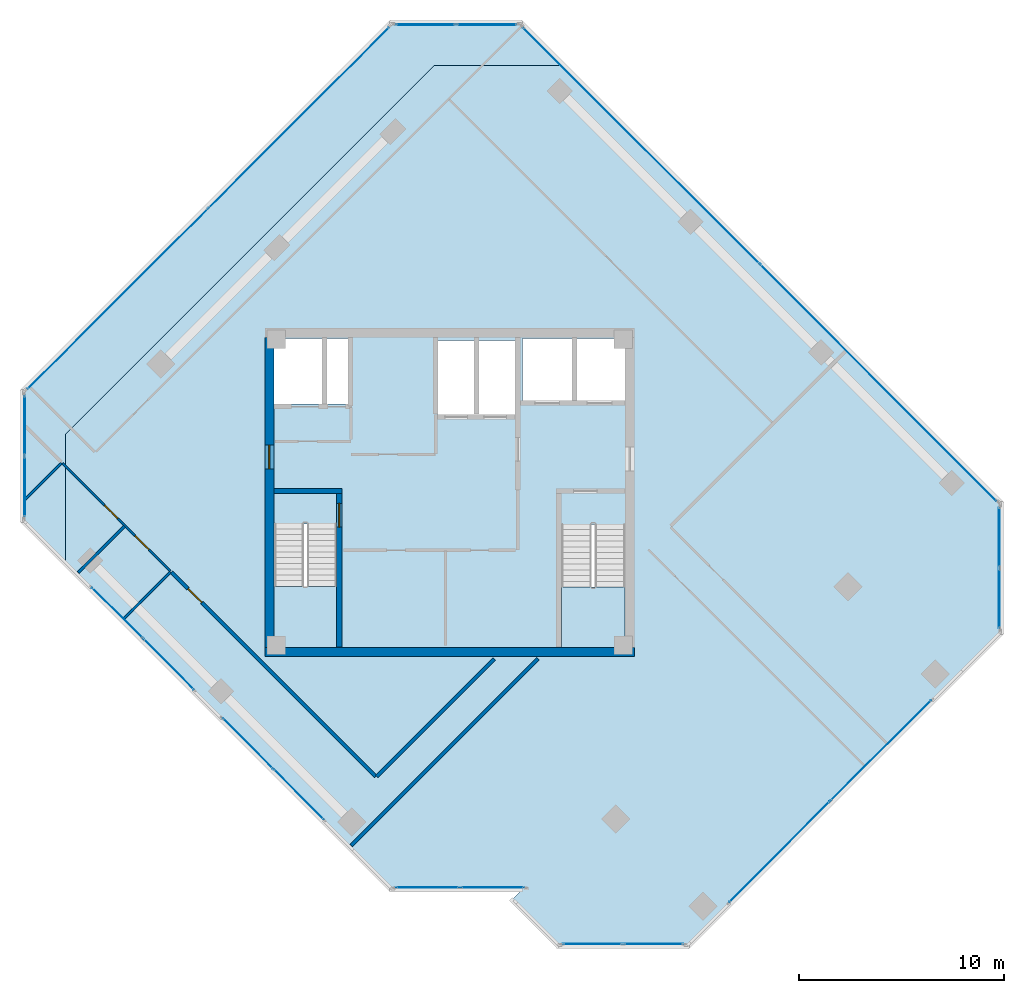
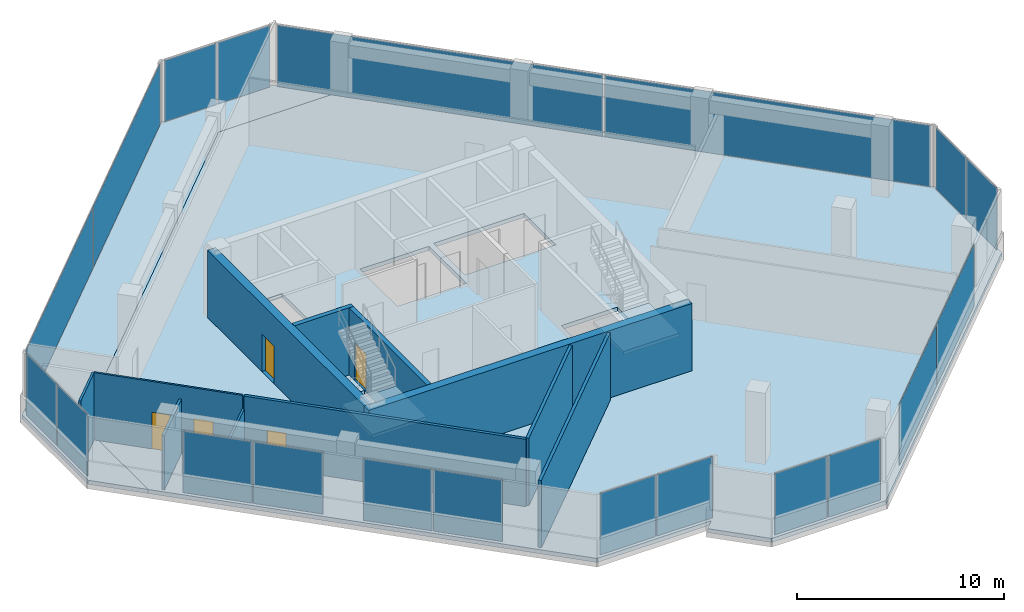
# One storey, part 13 of 18: 20 plates, 11 walls, 5 doors, 4 slabs, 5 openings, 12 elements without a shape of their own.
"""IFC4 building model written with IfcOpenShell, lengths in metres."""

from ifc_helpers import new_model, si_unit, direction, frame, frame_2d, origin, origin_2d, place, context, subcontext, project, spatial, polyline, rectangle, outline, extrude, source, transform, mapped, material, layer, layer_set, type_object, element, fill, aggregate, save


model = new_model("IFC4")

# Units and contexts
model_context = context("Model", 3, precision=1e-05, world=origin(), true_north=direction((0.0, 1.0)))
body_context = subcontext(model_context, "Body", "Model", "MODEL_VIEW")
ifc_project = project(units=[si_unit("LENGTHUNIT", "METRE"), si_unit("AREAUNIT", "SQUARE_METRE"), si_unit("VOLUMEUNIT", "CUBIC_METRE"), si_unit("PLANEANGLEUNIT", "RADIAN"), si_unit("MASSUNIT", "GRAM", prefix="KILO")], contexts=[model_context])

# Site, building, storey
site_placement = place(None, origin())
site = spatial("IfcSite", under=ifc_project, at=site_placement, CompositionType="ELEMENT")
building_placement = place(site_placement, origin())
building = spatial("IfcBuilding", under=site, at=building_placement, Name="Torre Montelarca", CompositionType="ELEMENT")
storey_placement = place(building_placement, frame((0.0, 0.0, 245.800048828125)))
storey = spatial("IfcBuildingStorey", under=building, at=storey_placement, Name="L55", CompositionType="ELEMENT", Elevation=245.800048828125)

# Slabs
ifc_material_1 = material(Name="Concrete C40/50", Category="concrete")
ifc_layer_1 = layer(ifc_material_1, 0.239990234375, Name="Concrete C40/50", Category="concrete")
ifc_layer_set_1 = layer_set([ifc_layer_1], Name="Concrete C40/50")
slab_type_1 = type_object("IfcSlabType", Name="SL-FLR-240", PredefinedType="FLOOR", material=ifc_layer_set_1)
slab_1_placement = place(storey_placement, frame((0.0, 0.0, -0.239990234375)))
element("IfcSlab", 1, at=slab_1_placement, inside=storey, type_object=slab_type_1, Name="L55 Structural Floor Slab", PredefinedType="FLOOR", context=body_context, shape_type="SweptSolid", body=[
    extrude(outline(polyline([(15.135986328125, 12.625244140625), (21.5, 12.625244140625), (21.0048828125, 12.13037109375), (23.267822265625, 9.86767578125), (29.631591796875, 9.86767578125), (44.9052734375, 25.14111328125), (44.9052734375, 31.5048828125), (23.621337890625, 52.788818359375), (17.25732421875, 52.788818359375), (-0.703125, 34.828369140625), (-0.703125, 28.464599609375), (15.135986328125, 12.625244140625)]), holes=[polyline([(26.550048828125, 24.449951171875), (23.43994140625, 24.449951171875), (23.43994140625, 30.429931640625), (26.550048828125, 30.429931640625), (26.550048828125, 24.449951171875)]), polyline([(12.5, 24.449951171875), (9.449951171875, 24.449951171875), (9.449951171875, 30.4599609375), (12.5, 30.4599609375), (12.5, 24.449951171875)]), polyline([(21.25, 39.39990234375), (21.25, 35.800048828125), (17.39990234375, 35.800048828125), (17.39990234375, 39.39990234375), (21.25, 39.39990234375)]), polyline([(13.1201171875, 36.300048828125), (9.449951171875, 36.300048828125), (9.449951171875, 39.5), (13.1201171875, 39.5), (13.1201171875, 36.300048828125)]), polyline([(26.60009765625, 36.449951171875), (21.550048828125, 36.449951171875), (21.550048828125, 39.5), (26.60009765625, 39.5), (26.60009765625, 36.449951171875)])]), origin(), (0.0, 0.0, 1.0), 0.239990234375),
])
slab_2_placement = place(storey_placement, frame((0.0, 0.0, -0.239990234375)))
element("IfcSlab", 2, at=slab_2_placement, inside=storey, type_object=slab_type_1, Name="L55 Sliding Tray Winter Garden Floor Slab W1", PredefinedType="FLOOR", context=body_context, shape_type="SweptSolid", body=[
    extrude(outline(polyline([(-0.703125, 28.464599609375), (-0.703125, 34.828369140625), (17.25732421875, 52.788818359375), (23.621337890625, 52.788818359375), (21.5, 54.910400390625), (15.135986328125, 54.910400390625), (-2.824462890625, 36.94970703125), (-2.824462890625, 30.585693359375), (-0.703125, 28.464599609375)])), origin(), (0.0, 0.0, 1.0), 0.239990234375),
])

# Stair, slab
stair_type_1 = type_object("IfcStairType", Name="ST-CORE-ST1", PredefinedType="HALF_TURN_STAIR", material=ifc_material_1)
stair_1_placement = place(storey_placement, origin())
stair_1 = element("IfcStair", 3, at=stair_1_placement, inside=storey, type_object=stair_type_1, Name="L55 Protected Exit Stair ST1", PredefinedType="HALF_TURN_STAIR")
ifc_layer_2 = layer(ifc_material_1, 0.199951171875, Name="Concrete C40/50", Category="concrete")
ifc_layer_set_2 = layer_set([ifc_layer_2], Name="Concrete C40/50")
slab_type_2 = type_object("IfcSlabType", Name="SL-ST-LAND-ST1", PredefinedType="LANDING", material=ifc_layer_set_2)
slab_3_placement = place(storey_placement, frame((0.0, 0.0, 1.89990234375)))
slab_3 = element("IfcSlab", 4, at=slab_3_placement, type_object=slab_type_2, Name="ST1 landing 1", PredefinedType="LANDING", context=body_context, shape_type="SweptSolid", body=[
    extrude(outline(polyline([(9.449951171875, 27.419921875), (9.449951171875, 24.449951171875), (12.5, 24.449951171875), (12.5, 27.419921875), (9.449951171875, 27.419921875)])), origin(), (0.0, 0.0, 1.0), 0.199951171875),
])
aggregate(stair_1, [slab_3])

stair_type_2 = type_object("IfcStairType", Name="ST-CORE-ST2", PredefinedType="HALF_TURN_STAIR", material=ifc_material_1)
stair_2_placement = place(storey_placement, origin())
stair_2 = element("IfcStair", 5, at=stair_2_placement, inside=storey, type_object=stair_type_2, Name="L55 Protected Exit Stair ST2", PredefinedType="HALF_TURN_STAIR")
ifc_layer_3 = layer(ifc_material_1, 0.199951171875, Name="Concrete C40/50", Category="concrete")
ifc_layer_set_3 = layer_set([ifc_layer_3], Name="Concrete C40/50")
slab_type_3 = type_object("IfcSlabType", Name="SL-ST-LAND-ST2", PredefinedType="LANDING", material=ifc_layer_set_3)
slab_4_placement = place(storey_placement, frame((0.0, 0.0, 1.89990234375)))
slab_4 = element("IfcSlab", 6, at=slab_4_placement, type_object=slab_type_3, Name="ST2 landing 1", PredefinedType="LANDING", context=body_context, shape_type="SweptSolid", body=[
    extrude(outline(polyline([(23.43994140625, 27.389892578125), (23.43994140625, 24.449951171875), (26.550048828125, 24.449951171875), (26.550048828125, 27.389892578125), (23.43994140625, 27.389892578125)])), origin(), (0.0, 0.0, 1.0), 0.199951171875),
])
aggregate(stair_2, [slab_4])

# Curtain wall, plates
ifc_material_2 = material(Name="Insulated low-E laminated glass", Category="glass")
curtain_wall_type = type_object("IfcCurtainWallType", Name="CW-SYS-Z3", PredefinedType="USERDEFINED", material=ifc_material_2)
curtain_wall_1_placement = place(storey_placement, origin())
curtain_wall_1 = element("IfcCurtainWall", 7, at=curtain_wall_1_placement, inside=storey, type_object=curtain_wall_type, Name="L55 Curtain Wall Run CW-T3-L55-E02-B1", ObjectType="UNITISED GLAZING", PredefinedType="USERDEFINED")
ifc_layer_4 = layer(ifc_material_2, 0.031982421875, Name="Insulated low-E laminated glass", Category="glass")
ifc_layer_set_4 = layer_set([ifc_layer_4], Name="Insulated low-E laminated glass")
plate_type = type_object("IfcPlateType", Name="CWP-GLZ-32", PredefinedType="CURTAIN_PANEL", material=ifc_layer_set_4)
shared_shape_1 = source(origin(), body_context, "Body", "SweptSolid", [
    extrude(rectangle(XDim=3.08740234375, YDim=0.031982421875, at=origin_2d()), origin(), (0.0, 0.0, 1.0), 3.610107421875),
])
plate_1_placement = place(storey_placement, frame((16.920654296875, 12.75537109375, 0.0546875), z_axis=(0.0, 0.0, 1.0), x_axis=(1.0, 0.0, 0.0)))
plate_1 = element("IfcPlate", 8, at=plate_1_placement, type_object=plate_type, Name="CW panel 1.1", PredefinedType="CURTAIN_PANEL", context=body_context, shape_type="MappedRepresentation", body=[
    mapped(shared_shape_1, transform((0.0, 0.0, 0.0), scale=1.0)),
])
plate_2_placement = place(storey_placement, frame((20.0830078125, 12.75537109375, 0.0546875), z_axis=(0.0, 0.0, 1.0), x_axis=(1.0, 0.0, 0.0)))
plate_2 = element("IfcPlate", 9, at=plate_2_placement, type_object=plate_type, Name="CW panel 2.1", PredefinedType="CURTAIN_PANEL", context=body_context, shape_type="MappedRepresentation", body=[
    mapped(shared_shape_1, transform((0.0, 0.0, 0.0), scale=1.0)),
])
aggregate(curtain_wall_1, [plate_1, plate_2])

curtain_wall_2_placement = place(storey_placement, origin())
curtain_wall_2 = element("IfcCurtainWall", 10, at=curtain_wall_2_placement, inside=storey, type_object=curtain_wall_type, Name="L55 Curtain Wall Run CW-T3-L55-E05-B1", ObjectType="UNITISED GLAZING", PredefinedType="USERDEFINED")
shared_shape_2 = source(origin(), body_context, "Body", "SweptSolid", [
    extrude(rectangle(XDim=2.903564453125, YDim=0.031982421875, at=origin_2d()), origin(), (0.0, 0.0, 1.0), 3.610107421875),
])
plate_3_placement = place(storey_placement, frame((24.96044921875, 9.99755859375, 0.0546875), z_axis=(0.0, 0.0, 1.0), x_axis=(1.0, 0.0, 0.0)))
plate_3 = element("IfcPlate", 11, at=plate_3_placement, type_object=plate_type, Name="CW panel 1.1", PredefinedType="CURTAIN_PANEL", context=body_context, shape_type="MappedRepresentation", body=[
    mapped(shared_shape_2, transform((0.0, 0.0, 0.0), scale=1.0)),
])
plate_4_placement = place(storey_placement, frame((27.93896484375, 9.99755859375, 0.0546875), z_axis=(0.0, 0.0, 1.0), x_axis=(1.0, 0.0, 0.0)))
plate_4 = element("IfcPlate", 12, at=plate_4_placement, type_object=plate_type, Name="CW panel 2.1", PredefinedType="CURTAIN_PANEL", context=body_context, shape_type="MappedRepresentation", body=[
    mapped(shared_shape_2, transform((0.0, 0.0, 0.0), scale=1.0)),
])
aggregate(curtain_wall_2, [plate_3, plate_4])

curtain_wall_3_placement = place(storey_placement, origin())
curtain_wall_3 = element("IfcCurtainWall", 13, at=curtain_wall_3_placement, inside=storey, type_object=curtain_wall_type, Name="L55 Curtain Wall Run CW-T3-L55-E07-B1", ObjectType="UNITISED GLAZING", PredefinedType="USERDEFINED")
plate_5_placement = place(storey_placement, frame((44.775146484375, 26.833740234375, 0.0546875), z_axis=(0.0, 0.0, 1.0), x_axis=(0.0, 1.0, 0.0)))
plate_5 = element("IfcPlate", 14, at=plate_5_placement, type_object=plate_type, Name="CW panel 1.1", PredefinedType="CURTAIN_PANEL", context=body_context, shape_type="MappedRepresentation", body=[
    mapped(shared_shape_2, transform((0.0, 0.0, 0.0), scale=1.0)),
])
plate_6_placement = place(storey_placement, frame((44.775146484375, 29.812255859375, 0.0546875), z_axis=(0.0, 0.0, 1.0), x_axis=(0.0, 1.0, 0.0)))
plate_6 = element("IfcPlate", 15, at=plate_6_placement, type_object=plate_type, Name="CW panel 2.1", PredefinedType="CURTAIN_PANEL", context=body_context, shape_type="MappedRepresentation", body=[
    mapped(shared_shape_2, transform((0.0, 0.0, 0.0), scale=1.0)),
])
aggregate(curtain_wall_3, [plate_5, plate_6])

curtain_wall_4_placement = place(storey_placement, origin())
curtain_wall_4 = element("IfcCurtainWall", 16, at=curtain_wall_4_placement, inside=storey, type_object=curtain_wall_type, Name="L55 Curtain Wall Run CW-T3-L55-E11-B1", ObjectType="UNITISED GLAZING", PredefinedType="USERDEFINED")
plate_7_placement = place(storey_placement, frame((-2.694580078125, 35.257080078125, 0.0546875), z_axis=(0.0, 0.0, 1.0), x_axis=(0.0, -1.0, 0.0)))
plate_7 = element("IfcPlate", 17, at=plate_7_placement, type_object=plate_type, Name="CW panel 1.1", PredefinedType="CURTAIN_PANEL", context=body_context, shape_type="MappedRepresentation", body=[
    mapped(shared_shape_2, transform((0.0, 0.0, 0.0), scale=1.0)),
])
plate_8_placement = place(storey_placement, frame((-2.694580078125, 32.2783203125, 0.0546875), z_axis=(0.0, 0.0, 1.0), x_axis=(0.0, -1.0, 0.0)))
plate_8 = element("IfcPlate", 18, at=plate_8_placement, type_object=plate_type, Name="CW panel 2.1", PredefinedType="CURTAIN_PANEL", context=body_context, shape_type="MappedRepresentation", body=[
    mapped(shared_shape_2, transform((0.0, 0.0, 0.0), scale=1.0)),
])
aggregate(curtain_wall_4, [plate_7, plate_8])

curtain_wall_5_placement = place(storey_placement, origin())
curtain_wall_5 = element("IfcCurtainWall", 19, at=curtain_wall_5_placement, inside=storey, type_object=curtain_wall_type, Name="L55 Curtain Wall Run CW-T3-L55-E10-B1", ObjectType="UNITISED GLAZING", PredefinedType="USERDEFINED")
shared_shape_3 = source(origin(), body_context, "Body", "SweptSolid", [
    extrude(rectangle(XDim=12.421630859375, YDim=0.031982421875, at=origin_2d()), origin(), (0.0, 0.0, 1.0), 3.610107421875),
])
plate_9_placement = place(storey_placement, frame((10.665771484375, 50.25634765625, 0.0546875), z_axis=(0.0, 0.0, 1.0), x_axis=(-0.707104786625, -0.707108775742, 0.0)))
plate_9 = element("IfcPlate", 20, at=plate_9_placement, type_object=plate_type, Name="CW panel 1.1", PredefinedType="CURTAIN_PANEL", context=body_context, shape_type="MappedRepresentation", body=[
    mapped(shared_shape_3, transform((0.0, 0.0, 0.0), scale=1.0)),
])
plate_10_placement = place(storey_placement, frame((1.829345703125, 41.419921875, 0.0546875), z_axis=(0.0, 0.0, 1.0), x_axis=(-0.707104786625, -0.707108775742, 0.0)))
plate_10 = element("IfcPlate", 21, at=plate_10_placement, type_object=plate_type, Name="CW panel 2.1", PredefinedType="CURTAIN_PANEL", context=body_context, shape_type="MappedRepresentation", body=[
    mapped(shared_shape_3, transform((0.0, 0.0, 0.0), scale=1.0)),
])
aggregate(curtain_wall_5, [plate_9, plate_10])

curtain_wall_6_placement = place(storey_placement, origin())
curtain_wall_6 = element("IfcCurtainWall", 22, at=curtain_wall_6_placement, inside=storey, type_object=curtain_wall_type, Name="L55 Curtain Wall Run CW-T3-L55-E09-B1", ObjectType="UNITISED GLAZING", PredefinedType="USERDEFINED")
shared_shape_4 = source(origin(), body_context, "Body", "SweptSolid", [
    extrude(rectangle(XDim=2.90380859375, YDim=0.031982421875, at=origin_2d()), origin(), (0.0, 0.0, 1.0), 3.610107421875),
])
plate_11_placement = place(storey_placement, frame((19.807373046875, 54.7802734375, 0.0546875), z_axis=(0.0, 0.0, 1.0), x_axis=(-1.0, 0.0, 0.0)))
plate_11 = element("IfcPlate", 23, at=plate_11_placement, type_object=plate_type, Name="CW panel 1.1", PredefinedType="CURTAIN_PANEL", context=body_context, shape_type="MappedRepresentation", body=[
    mapped(shared_shape_4, transform((0.0, 0.0, 0.0), scale=1.0)),
])
plate_12_placement = place(storey_placement, frame((16.82861328125, 54.7802734375, 0.0546875), z_axis=(0.0, 0.0, 1.0), x_axis=(-1.0, 0.0, 0.0)))
plate_12 = element("IfcPlate", 24, at=plate_12_placement, type_object=plate_type, Name="CW panel 2.1", PredefinedType="CURTAIN_PANEL", context=body_context, shape_type="MappedRepresentation", body=[
    mapped(shared_shape_4, transform((0.0, 0.0, 0.0), scale=1.0)),
])
aggregate(curtain_wall_6, [plate_11, plate_12])

curtain_wall_7_placement = place(storey_placement, origin())
curtain_wall_7 = element("IfcCurtainWall", 25, at=curtain_wall_7_placement, inside=storey, type_object=curtain_wall_type, Name="L55 Curtain Wall Run CW-T3-L55-E01-B1", ObjectType="UNITISED GLAZING", PredefinedType="USERDEFINED")
shared_shape_5 = source(origin(), body_context, "Body", "SweptSolid", [
    extrude(rectangle(XDim=3.45751953125, YDim=0.031982421875, at=origin_2d()), origin(), (0.0, 0.0, 1.0), 3.610107421875),
])
plate_13_placement = place(storey_placement, frame((1.816650390625, 26.12841796875, 0.0546875), z_axis=(0.0, 0.0, 1.0), x_axis=(0.707106781187, -0.707106781187, 0.0)))
plate_13 = element("IfcPlate", 26, at=plate_13_placement, type_object=plate_type, Name="CW panel 1.1", PredefinedType="CURTAIN_PANEL", context=body_context, shape_type="MappedRepresentation", body=[
    mapped(shared_shape_5, transform((0.0, 0.0, 0.0), scale=1.0)),
])
plate_14_placement = place(storey_placement, frame((4.314697265625, 23.63037109375, 0.0546875), z_axis=(0.0, 0.0, 1.0), x_axis=(0.707106781187, -0.707106781187, 0.0)))
plate_14 = element("IfcPlate", 27, at=plate_14_placement, type_object=plate_type, Name="CW panel 2.1", PredefinedType="CURTAIN_PANEL", context=body_context, shape_type="MappedRepresentation", body=[
    mapped(shared_shape_5, transform((0.0, 0.0, 0.0), scale=1.0)),
])
aggregate(curtain_wall_7, [plate_13, plate_14])

curtain_wall_8_placement = place(storey_placement, origin())
curtain_wall_8 = element("IfcCurtainWall", 28, at=curtain_wall_8_placement, inside=storey, type_object=curtain_wall_type, Name="L55 Curtain Wall Run CW-T3-L55-E01-B2", ObjectType="UNITISED GLAZING", PredefinedType="USERDEFINED")
shared_shape_6 = source(origin(), body_context, "Body", "SweptSolid", [
    extrude(rectangle(XDim=3.4326171875, YDim=0.031982421875, at=origin_2d()), origin(), (0.0, 0.0, 1.0), 3.610107421875),
])
plate_15_placement = place(storey_placement, frame((8.171875, 19.773193359375, 0.0546875), z_axis=(0.0, 0.0, 1.0), x_axis=(0.707106781187, -0.707106781187, 0.0)))
plate_15 = element("IfcPlate", 29, at=plate_15_placement, type_object=plate_type, Name="CW panel 1.1", PredefinedType="CURTAIN_PANEL", context=body_context, shape_type="MappedRepresentation", body=[
    mapped(shared_shape_6, transform((0.0, 0.0, 0.0), scale=1.0)),
])
plate_16_placement = place(storey_placement, frame((10.652099609375, 17.29296875, 0.0546875), z_axis=(0.0, 0.0, 1.0), x_axis=(0.707106781187, -0.707106781187, 0.0)))
plate_16 = element("IfcPlate", 30, at=plate_16_placement, type_object=plate_type, Name="CW panel 2.1", PredefinedType="CURTAIN_PANEL", context=body_context, shape_type="MappedRepresentation", body=[
    mapped(shared_shape_6, transform((0.0, 0.0, 0.0), scale=1.0)),
])
aggregate(curtain_wall_8, [plate_15, plate_16])

curtain_wall_9_placement = place(storey_placement, origin())
curtain_wall_9 = element("IfcCurtainWall", 31, at=curtain_wall_9_placement, inside=storey, type_object=curtain_wall_type, Name="L55 Curtain Wall Run CW-T3-L55-E06-B1", ObjectType="UNITISED GLAZING", PredefinedType="USERDEFINED")
shared_shape_7 = source(origin(), body_context, "Body", "SweptSolid", [
    extrude(rectangle(XDim=6.907470703125, YDim=0.031982421875, at=origin_2d()), origin(), (0.0, 0.0, 1.0), 3.610107421875),
])
plate_17_placement = place(storey_placement, frame((34.071533203125, 14.4912109375, 0.0546875), z_axis=(0.0, 0.0, 1.0), x_axis=(0.707106781187, 0.707106781187, 0.0)))
plate_17 = element("IfcPlate", 32, at=plate_17_placement, type_object=plate_type, Name="CW panel 1.1", PredefinedType="CURTAIN_PANEL", context=body_context, shape_type="MappedRepresentation", body=[
    mapped(shared_shape_7, transform((0.0, 0.0, 0.0), scale=1.0)),
])
plate_18_placement = place(storey_placement, frame((39.0087890625, 19.428466796875, 0.0546875), z_axis=(0.0, 0.0, 1.0), x_axis=(0.707106781187, 0.707106781187, 0.0)))
plate_18 = element("IfcPlate", 33, at=plate_18_placement, type_object=plate_type, Name="CW panel 2.1", PredefinedType="CURTAIN_PANEL", context=body_context, shape_type="MappedRepresentation", body=[
    mapped(shared_shape_7, transform((0.0, 0.0, 0.0), scale=1.0)),
])
aggregate(curtain_wall_9, [plate_17, plate_18])

curtain_wall_10_placement = place(storey_placement, origin())
curtain_wall_10 = element("IfcCurtainWall", 34, at=curtain_wall_10_placement, inside=storey, type_object=curtain_wall_type, Name="L55 Curtain Wall Run CW-T3-L55-E08-B1", ObjectType="UNITISED GLAZING", PredefinedType="USERDEFINED")
shared_shape_8 = source(origin(), body_context, "Body", "SweptSolid", [
    extrude(rectangle(XDim=16.271728515625, YDim=0.031982421875, at=origin_2d()), origin(), (0.0, 0.0, 1.0), 3.610107421875),
])
plate_19_placement = place(storey_placement, frame((38.89013671875, 37.33642578125, 0.0546875), z_axis=(0.0, 0.0, 1.0), x_axis=(-0.707105255314, 0.707108307056, 0.0)))
plate_19 = element("IfcPlate", 35, at=plate_19_placement, type_object=plate_type, Name="CW panel 1.1", PredefinedType="CURTAIN_PANEL", context=body_context, shape_type="MappedRepresentation", body=[
    mapped(shared_shape_8, transform((0.0, 0.0, 0.0), scale=1.0)),
])
plate_20_placement = place(storey_placement, frame((27.331298828125, 48.895263671875, 0.0546875), z_axis=(0.0, 0.0, 1.0), x_axis=(-0.707105255314, 0.707108307056, 0.0)))
plate_20 = element("IfcPlate", 36, at=plate_20_placement, type_object=plate_type, Name="CW panel 2.1", PredefinedType="CURTAIN_PANEL", context=body_context, shape_type="MappedRepresentation", body=[
    mapped(shared_shape_8, transform((0.0, 0.0, 0.0), scale=1.0)),
])
aggregate(curtain_wall_10, [plate_19, plate_20])

# Wall, opening, door
ifc_layer_5 = layer(ifc_material_1, 0.25, Name="Concrete C40/50", Category="concrete")
ifc_layer_set_5 = layer_set([ifc_layer_5], Name="Concrete C40/50")
wall_type_1 = type_object("IfcWallType", Name="CW-SHAFT-250", PredefinedType="SHEAR", material=ifc_layer_set_5)
wall_1_placement = place(storey_placement, frame((12.625, 24.4599609375, 0.0), z_axis=(0.0, 0.0, 1.0), x_axis=(0.0, 1.0, 0.0)))
wall_1 = element("IfcWall", 37, at=wall_1_placement, inside=storey, type_object=wall_type_1, Name="L55 Core Shear Wall SH-ST1-E", PredefinedType="SHEAR", context=body_context, shape_type="SweptSolid", body=[
    extrude(rectangle(XDim=7.489990234375, YDim=0.25, at=frame_2d((3.7451171875, 0.0))), origin(), (0.0, 0.0, 1.0), 3.9599609375),
])
opening_1_placement = place(wall_1_placement, frame((5.85009765625, 0.0, 0.0)))
opening_1 = element("IfcOpeningElement", 38, at=opening_1_placement, cuts=wall_1, Name="Opening FD-ST1", PredefinedType="OPENING", context=body_context, shape_type="SweptSolid", body=[
    extrude(rectangle(XDim=1.14990234375, YDim=2.199951171875, at=frame_2d((0.574951171875, 1.10009765625))), frame((0.0, 0.135009765625, 0.0), z_axis=(0.0, -1.0, 0.0), x_axis=(1.0, 0.0, 0.0)), (0.0, 0.0, 1.0), 0.27001953125),
])
ifc_material_3 = material(Name="Galvanized steel fire door", Category="steel")
door_type_1 = type_object("IfcDoorType", Name="DR-STAIR-115", OperationType="NOTDEFINED", PredefinedType="DOOR", material=ifc_material_3)
shared_shape_9 = source(origin(), body_context, "Body", "SweptSolid", [
    extrude(rectangle(XDim=1.14990234375, YDim=2.199951171875, at=frame_2d((0.574951171875, 1.10009765625))), frame((0.0, 0.02490234375, 0.0), z_axis=(0.0, -1.0, 0.0), x_axis=(1.0, 0.0, 0.0)), (0.0, 0.0, 1.0), 0.050048828125),
])
door_1_placement = place(opening_1_placement, origin())
door_1 = element("IfcDoor", 39, at=door_1_placement, inside=storey, type_object=door_type_1, Name="L55 Exit Stair ST1 Fire Door", OperationType="SINGLE_SWING_RIGHT", OverallHeight=2.199951171875, OverallWidth=1.14990234375, PredefinedType="DOOR", context=body_context, shape_type="MappedRepresentation", body=[
    mapped(shared_shape_9, transform((0.0, 0.0, 0.0), scale=1.0)),
])
fill(opening_1, door_1)

# Wall
wall_2_placement = place(storey_placement, frame((9.4599609375, 32.074951171875, 0.0), z_axis=(0.0, 0.0, 1.0), x_axis=(1.0, 0.0, 0.0)))
element("IfcWall", 40, at=wall_2_placement, inside=storey, type_object=wall_type_1, Name="L55 Core Shear Wall SH-ST1-N", PredefinedType="SHEAR", context=body_context, shape_type="SweptSolid", body=[
    extrude(rectangle(XDim=3.2900390625, YDim=0.25, at=frame_2d((1.64501953125, 0.0))), origin(), (0.0, 0.0, 1.0), 3.9599609375),
])

# Wall, opening, door
ifc_material_4 = material(Name="Concrete C55/67", Category="concrete")
ifc_layer_6 = layer(ifc_material_4, 0.449951171875, Name="Concrete C55/67", Category="concrete")
ifc_layer_set_6 = layer_set([ifc_layer_6], Name="Concrete C55/67")
wall_type_2 = type_object("IfcWallType", Name="CW-SHEAR-450", PredefinedType="SHEAR", material=ifc_layer_set_6)
wall_3_placement = place(storey_placement, frame((9.22509765625, 24.449951171875, 0.0), z_axis=(0.0, 0.0, 1.0), x_axis=(0.0, 1.0, 0.0)))
wall_3 = element("IfcWall", 41, at=wall_3_placement, inside=storey, type_object=wall_type_2, Name="L55 Core Shear Wall CW-W", PredefinedType="SHEAR", context=body_context, shape_type="SweptSolid", body=[
    extrude(rectangle(XDim=15.10009765625, YDim=0.449951171875, at=frame_2d((7.550048828125, 0.0))), origin(), (0.0, 0.0, 1.0), 3.9599609375),
])
opening_2_placement = place(wall_3_placement, frame((8.699951171875, 0.0, 0.0)))
opening_2 = element("IfcOpeningElement", 42, at=opening_2_placement, cuts=wall_3, Name="Opening FD-LB1", PredefinedType="OPENING", context=body_context, shape_type="SweptSolid", body=[
    extrude(rectangle(XDim=1.14990234375, YDim=2.199951171875, at=frame_2d((0.574951171875, 1.10009765625))), frame((0.0, 0.23486328125, 0.0), z_axis=(0.0, -1.0, 0.0), x_axis=(1.0, 0.0, 0.0)), (0.0, 0.0, 1.0), 0.469970703125),
])
ifc_material_5 = material(Name="Acoustic timber-veneered fire door", Category="wood")
door_type_2 = type_object("IfcDoorType", Name="DR-LOBBY-115", OperationType="NOTDEFINED", PredefinedType="DOOR", material=ifc_material_5)
shared_shape_10 = source(origin(), body_context, "Body", "SweptSolid", [
    extrude(rectangle(XDim=1.14990234375, YDim=2.199951171875, at=frame_2d((0.574951171875, 1.10009765625))), frame((0.0, 0.02490234375, 0.0), z_axis=(0.0, -1.0, 0.0), x_axis=(1.0, 0.0, 0.0)), (0.0, 0.0, 1.0), 0.050048828125),
])
door_2_placement = place(opening_2_placement, origin())
door_2 = element("IfcDoor", 43, at=door_2_placement, inside=storey, type_object=door_type_2, Name="L55 Passenger Lift Lobby West Corridor Fire Door", OperationType="SINGLE_SWING_RIGHT", OverallHeight=2.199951171875, OverallWidth=1.14990234375, PredefinedType="DOOR", context=body_context, shape_type="MappedRepresentation", body=[
    mapped(shared_shape_10, transform((0.0, 0.0, 0.0), scale=1.0)),
])
fill(opening_2, door_2)

# Wall
wall_4_placement = place(storey_placement, frame((9.0, 24.22509765625, 0.0), z_axis=(0.0, 0.0, 1.0), x_axis=(1.0, 0.0, 0.0)))
element("IfcWall", 44, at=wall_4_placement, inside=storey, type_object=wall_type_2, Name="L55 Core Shear Wall CW-S1", PredefinedType="SHEAR", context=body_context, shape_type="SweptSolid", body=[
    extrude(rectangle(XDim=18.0, YDim=0.449951171875, at=frame_2d((9.0, 0.0))), origin(), (0.0, 0.0, 1.0), 3.9599609375),
])

# Wall, opening, door
ifc_material_6 = material(Name="Gypsum plasterboard on steel stud", Category="steel")
ifc_layer_7 = layer(ifc_material_6, 0.159912109375, Name="Gypsum plasterboard on steel stud", Category="steel")
ifc_layer_set_7 = layer_set([ifc_layer_7], Name="Gypsum plasterboard on steel stud")
wall_type_3 = type_object("IfcWallType", Name="PW-FIRE-160", PredefinedType="PARTITIONING", material=ifc_layer_set_7)
wall_5_placement = place(storey_placement, frame((4.45166015625, 28.117919921875, 0.0), z_axis=(0.0, 0.0, 1.0), x_axis=(0.707106781187, -0.707106781187, 0.0)))
wall_5 = element("IfcWall", 45, at=wall_5_placement, inside=storey, type_object=wall_type_3, Name="L55 Interior Partition W-L55-SOCCN", PredefinedType="PARTITIONING", context=body_context, shape_type="SweptSolid", body=[
    extrude(rectangle(XDim=14.070068359375, YDim=0.159912109375, at=frame_2d((7.03515625, 0.0))), origin(), (0.0, 0.0, 1.0), 3.9599609375),
])
opening_3_placement = place(wall_5_placement, frame((1.14990234375, 0.0, 0.0)))
opening_3 = element("IfcOpeningElement", 46, at=opening_3_placement, cuts=wall_5, Name="Opening FD-095", PredefinedType="OPENING", context=body_context, shape_type="SweptSolid", body=[
    extrude(rectangle(XDim=0.949951171875, YDim=2.14990234375, at=frame_2d((0.47509765625, 1.074951171875))), frame((0.0, 0.08984375, 0.0), z_axis=(0.0, -1.0, 0.0), x_axis=(1.0, 0.0, 0.0)), (0.0, 0.0, 1.0), 0.179931640625),
])
ifc_material_7 = material(Name="Timber fire-rated room door", Category="wood")
door_type_3 = type_object("IfcDoorType", Name="DR-FIRE-095", OperationType="NOTDEFINED", PredefinedType="DOOR", material=ifc_material_7)
shared_shape_11 = source(origin(), body_context, "Body", "SweptSolid", [
    extrude(rectangle(XDim=0.949951171875, YDim=2.14990234375, at=frame_2d((0.47509765625, 1.074951171875))), frame((0.0, 0.02490234375, 0.0), z_axis=(0.0, -1.0, 0.0), x_axis=(1.0, 0.0, 0.0)), (0.0, 0.0, 1.0), 0.050048828125),
])
door_3_placement = place(opening_3_placement, origin())
door_3 = element("IfcDoor", 47, at=door_3_placement, inside=storey, type_object=door_type_3, Name="L55 Interior Door 07", OperationType="SINGLE_SWING_RIGHT", OverallHeight=2.14990234375, OverallWidth=0.949951171875, PredefinedType="DOOR", context=body_context, shape_type="MappedRepresentation", body=[
    mapped(shared_shape_11, transform((0.0, 0.0, 0.0), scale=1.0)),
])
fill(opening_3, door_3)

# Walls
wall_6_placement = place(storey_placement, frame((14.457275390625, 18.1689453125, 0.0), z_axis=(0.0, 0.0, 1.0), x_axis=(0.707106781187, 0.707106781187, 0.0)))
element("IfcWall", 48, at=wall_6_placement, inside=storey, type_object=wall_type_3, Name="L55 Interior Partition W-L55-SOCCW3", PredefinedType="PARTITIONING", context=body_context, shape_type="SweptSolid", body=[
    extrude(rectangle(XDim=8.093017578125, YDim=0.159912109375, at=frame_2d((4.04638671875, 0.0))), origin(), (0.0, 0.0, 1.0), 3.9599609375),
])
wall_7_placement = place(storey_placement, frame((13.212646484375, 14.80322265625, 0.0), z_axis=(0.0, 0.0, 1.0), x_axis=(0.707116278481, 0.707097283765, 0.0)))
element("IfcWall", 49, at=wall_7_placement, inside=storey, type_object=wall_type_3, Name="L55 Interior Partition W-L55-ECS", PredefinedType="PARTITIONING", context=body_context, shape_type="SweptSolid", body=[
    extrude(rectangle(XDim=12.85302734375, YDim=0.159912109375, at=frame_2d((6.426513671875, 0.0))), origin(), (0.0, 0.0, 1.0), 3.9599609375),
])

# Wall, openings, doors
ifc_material_8 = material(Name="Acoustic laminated glass partition", Category="glass")
ifc_layer_8 = layer(ifc_material_8, 0.10009765625, Name="Acoustic laminated glass partition", Category="glass")
ifc_layer_set_8 = layer_set([ifc_layer_8], Name="Acoustic laminated glass partition")
wall_type_4 = type_object("IfcWallType", Name="PW-GLAZ-100", PredefinedType="PARTITIONING", material=ifc_layer_set_8)
wall_8_placement = place(storey_placement, frame((-0.8515625, 33.42138671875, 0.0), z_axis=(0.0, 0.0, 1.0), x_axis=(0.707090329382, -0.707123232608, 0.0)))
wall_8 = element("IfcWall", 50, at=wall_8_placement, inside=storey, type_object=wall_type_4, Name="L55 Interior Partition W-L55-WCN", PredefinedType="PARTITIONING", context=body_context, shape_type="SweptSolid", body=[
    extrude(rectangle(XDim=7.419921875, YDim=0.10009765625, at=frame_2d((3.7099609375, 0.0))), origin(), (0.0, 0.0, 1.0), 3.9599609375),
])
opening_4_placement = place(wall_8_placement, frame((2.89990234375, 0.0, 0.0)))
opening_4 = element("IfcOpeningElement", 51, at=opening_4_placement, cuts=wall_8, Name="Opening ID-090", PredefinedType="OPENING", context=body_context, shape_type="SweptSolid", body=[
    extrude(rectangle(XDim=0.89990234375, YDim=2.14990234375, at=frame_2d((0.449951171875, 1.074951171875))), frame((0.0, 0.06005859375, 0.0), z_axis=(0.0, -1.0, 0.0), x_axis=(1.0, 0.0, 0.0)), (0.0, 0.0, 1.0), 0.1201171875),
])
opening_5_placement = place(wall_8_placement, frame((5.0, 0.0, 0.0)))
opening_5 = element("IfcOpeningElement", 52, at=opening_5_placement, cuts=wall_8, Name="Opening ID-095", PredefinedType="OPENING", context=body_context, shape_type="SweptSolid", body=[
    extrude(rectangle(XDim=0.949951171875, YDim=2.14990234375, at=frame_2d((0.47509765625, 1.074951171875))), frame((0.0, 0.06005859375, 0.0), z_axis=(0.0, -1.0, 0.0), x_axis=(1.0, 0.0, 0.0)), (0.0, 0.0, 1.0), 0.1201171875),
])
ifc_material_9 = material(Name="Hardwood acoustic timber veneer", Category="wood")
door_type_4 = type_object("IfcDoorType", Name="DR-INT-090", OperationType="NOTDEFINED", PredefinedType="DOOR", material=ifc_material_9)
shared_shape_12 = source(origin(), body_context, "Body", "SweptSolid", [
    extrude(rectangle(XDim=0.89990234375, YDim=2.14990234375, at=frame_2d((0.449951171875, 1.074951171875))), frame((0.0, 0.02490234375, 0.0), z_axis=(0.0, -1.0, 0.0), x_axis=(1.0, 0.0, 0.0)), (0.0, 0.0, 1.0), 0.050048828125),
])
door_4_placement = place(opening_4_placement, origin())
door_4 = element("IfcDoor", 53, at=door_4_placement, inside=storey, type_object=door_type_4, Name="L55 Interior Door 05", OperationType="SINGLE_SWING_LEFT", OverallHeight=2.14990234375, OverallWidth=0.89990234375, PredefinedType="DOOR", context=body_context, shape_type="MappedRepresentation", body=[
    mapped(shared_shape_12, transform((0.0, 0.0, 0.0), scale=1.0)),
])
fill(opening_4, door_4)
door_type_5 = type_object("IfcDoorType", Name="DR-INT-095", OperationType="NOTDEFINED", PredefinedType="DOOR", material=ifc_material_9)
shared_shape_13 = source(origin(), body_context, "Body", "SweptSolid", [
    extrude(rectangle(XDim=0.949951171875, YDim=2.14990234375, at=frame_2d((0.47509765625, 1.074951171875))), frame((0.0, 0.02490234375, 0.0), z_axis=(0.0, -1.0, 0.0), x_axis=(1.0, 0.0, 0.0)), (0.0, 0.0, 1.0), 0.050048828125),
])
door_5_placement = place(opening_5_placement, origin())
door_5 = element("IfcDoor", 54, at=door_5_placement, inside=storey, type_object=door_type_5, Name="L55 Interior Door 06", OperationType="SINGLE_SWING_RIGHT", OverallHeight=2.14990234375, OverallWidth=0.949951171875, PredefinedType="DOOR", context=body_context, shape_type="MappedRepresentation", body=[
    mapped(shared_shape_13, transform((0.0, 0.0, 0.0), scale=1.0)),
])
fill(opening_5, door_5)

# Walls
ifc_layer_9 = layer(ifc_material_6, 0.114990234375, Name="Gypsum plasterboard on steel stud", Category="steel")
ifc_layer_set_9 = layer_set([ifc_layer_9], Name="Gypsum plasterboard on steel stud")
wall_type_5 = type_object("IfcWallType", Name="PW-PART-115", PredefinedType="PARTITIONING", material=ifc_layer_set_9)
wall_9_placement = place(storey_placement, frame((-2.65625, 31.67333984375, 0.0), z_axis=(0.0, 0.0, 1.0), x_axis=(0.707106781187, 0.707106781187, 0.0)))
element("IfcWall", 55, at=wall_9_placement, inside=storey, type_object=wall_type_5, Name="L55 Interior Partition W-L55-WCW", PredefinedType="PARTITIONING", context=body_context, shape_type="SweptSolid", body=[
    extrude(rectangle(XDim=2.47216796875, YDim=0.114990234375, at=frame_2d((1.236083984375, 0.0))), origin(), (0.0, 0.0, 1.0), 3.9599609375),
])
wall_10_placement = place(storey_placement, frame((2.146484375, 25.869384765625, 0.0), z_axis=(0.0, 0.0, 1.0), x_axis=(0.707106781187, 0.707106781187, 0.0)))
element("IfcWall", 56, at=wall_10_placement, inside=storey, type_object=wall_type_5, Name="L55 Interior Partition W-L55-SWCDIV", PredefinedType="PARTITIONING", context=body_context, shape_type="SweptSolid", body=[
    extrude(rectangle(XDim=3.179931640625, YDim=0.114990234375, at=frame_2d((1.58984375, 0.0))), origin(), (0.0, 0.0, 1.0), 3.195068359375),
])
ifc_layer_10 = layer(ifc_material_6, 0.135009765625, Name="Gypsum plasterboard on steel stud", Category="steel")
ifc_layer_set_10 = layer_set([ifc_layer_10], Name="Gypsum plasterboard on steel stud")
wall_type_6 = type_object("IfcWallType", Name="PW-PART-135", PredefinedType="PARTITIONING", material=ifc_layer_set_10)
wall_11_placement = place(storey_placement, frame((-0.080810546875, 28.0966796875, 0.0), z_axis=(0.0, 0.0, 1.0), x_axis=(0.707068394238, 0.707145166051, 0.0)))
element("IfcWall", 57, at=wall_11_placement, inside=storey, type_object=wall_type_6, Name="L55 Interior Partition W-L55-WCD", PredefinedType="PARTITIONING", context=body_context, shape_type="SweptSolid", body=[
    extrude(rectangle(XDim=3.18017578125, YDim=0.135009765625, at=frame_2d((1.590087890625, 0.0))), origin(), (0.0, 0.0, 1.0), 3.195068359375),
])

save(model, "model.ifc")
